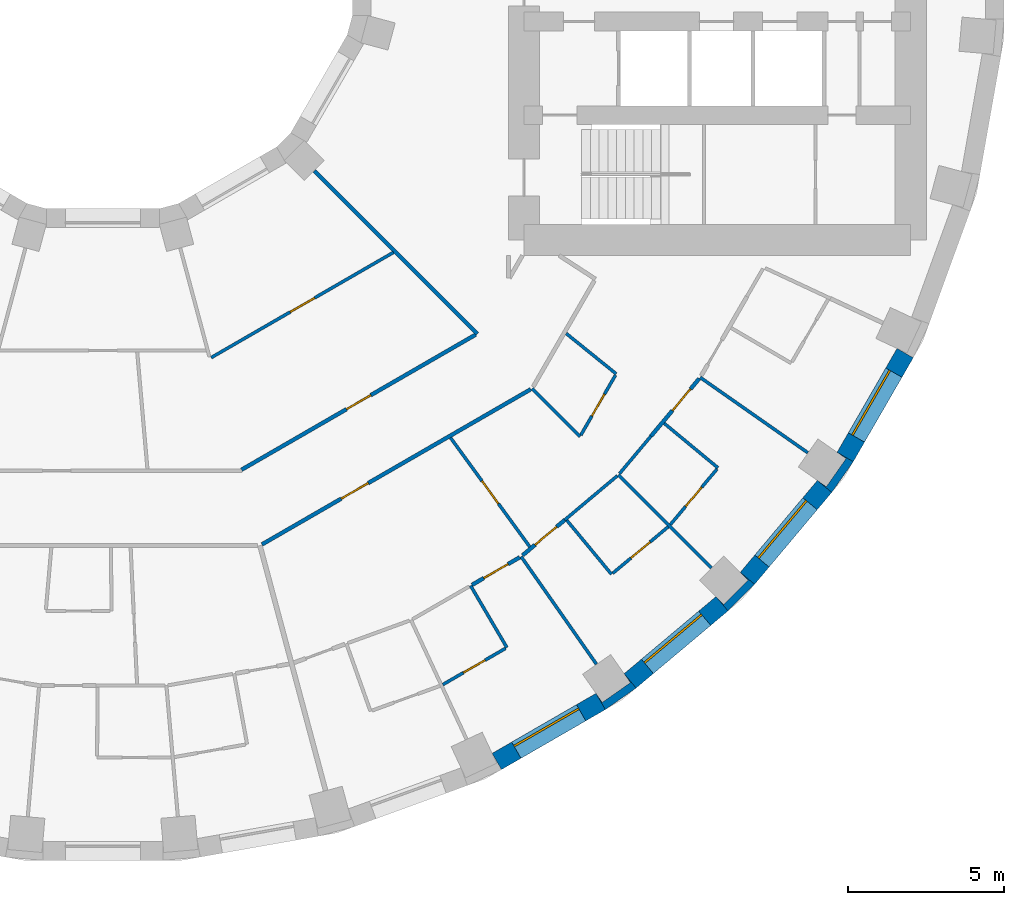
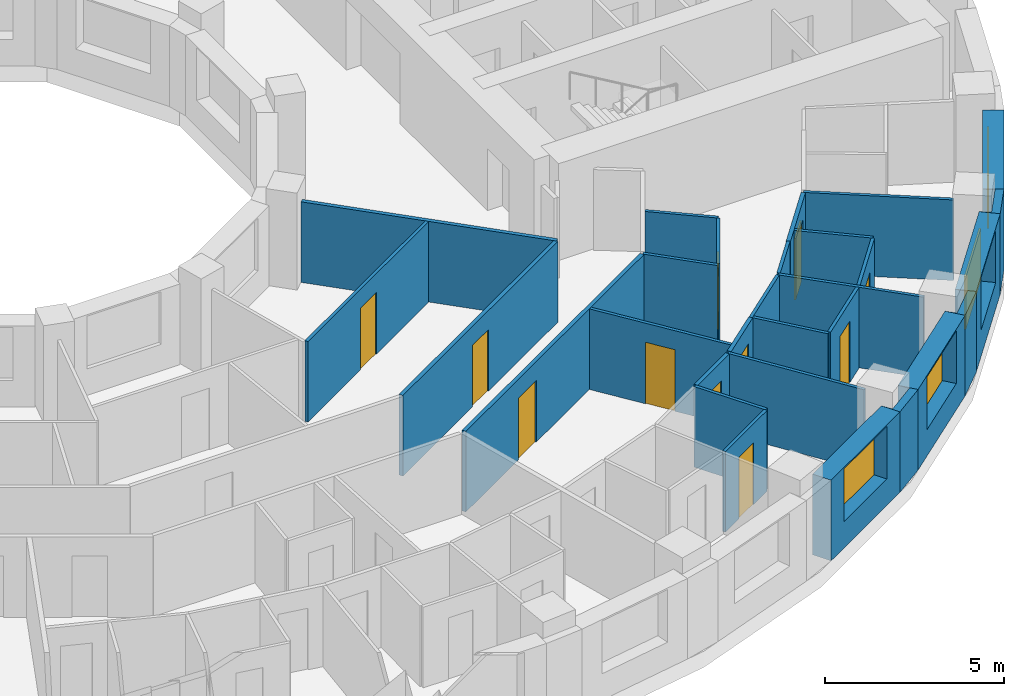
# One storey, part 7 of 15: 29 walls, 11 doors, 4 windows, 15 openings.
"""IFC4 building model written with IfcOpenShell, lengths in metres."""

from ifc_helpers import new_model, si_unit, direction, frame, frame_2d, origin, place, context, subcontext, project, spatial, polyline, rectangle, outline, extrude, material, layer, layer_set, type_object, element, fill, save


model = new_model("IFC4")

# Units and contexts
model_context = context("Model", 3, precision=1e-05, world=origin(), true_north=direction((0.0, 1.0)))
body_context = subcontext(model_context, "Body", "Model", "MODEL_VIEW")
ifc_project = project(units=[si_unit("LENGTHUNIT", "METRE"), si_unit("AREAUNIT", "SQUARE_METRE"), si_unit("VOLUMEUNIT", "CUBIC_METRE"), si_unit("PLANEANGLEUNIT", "RADIAN"), si_unit("MASSUNIT", "GRAM", prefix="KILO")], contexts=[model_context])

# Site, building, storey
site_placement = place(None, origin())
site = spatial("IfcSite", under=ifc_project, at=site_placement, CompositionType="ELEMENT")
building_placement = place(site_placement, origin())
building = spatial("IfcBuilding", under=site, at=building_placement, Name="Saqina Gate Tower", CompositionType="ELEMENT")
storey_placement = place(building_placement, frame((0.0, 0.0, 65.89990234375)))
storey = spatial("IfcBuildingStorey", under=building, at=storey_placement, Name="L18", CompositionType="ELEMENT", Elevation=65.89990234375)

# Walls
ifc_material_1 = material(Name="Brick masonry (red)", Category="masonry")
wall_type_1 = type_object("IfcWallType", Name="BRICK PIER COPING RED", PredefinedType="SOLIDWALL", material=ifc_material_1)
wall_1_placement = place(storey_placement, origin())
element("IfcWall", 1, at=wall_1_placement, inside=storey, type_object=wall_type_1, Name="Pier cap L18 column 31", PredefinedType="SOLIDWALL", context=body_context, shape_type="SweptSolid", body=[
    extrude(outline(polyline([(16.110107421875, -24.0576171875), (17.096923828125, -23.36669921875), (16.711181640625, -22.9072265625), (16.912109375, -23.194091796875), (16.010986328125, -23.8251953125), (15.81005859375, -23.5380859375), (16.110107421875, -24.0576171875)])), origin(), (0.0, 0.0, 1.0), 2.75),
])
wall_2_placement = place(storey_placement, origin())
element("IfcWall", 2, at=wall_2_placement, inside=storey, type_object=wall_type_1, Name="Pier cap L18 column 32", PredefinedType="SOLIDWALL", context=body_context, shape_type="SweptSolid", body=[
    extrude(outline(polyline([(20.894775390625, -20.04296875), (20.43505859375, -19.6572265625), (20.682861328125, -19.905029296875), (19.905029296875, -20.682861328125), (19.6572265625, -20.43505859375), (20.04296875, -20.894775390625), (20.894775390625, -20.04296875)])), origin(), (0.0, 0.0, 1.0), 2.75),
])
wall_3_placement = place(storey_placement, origin())
element("IfcWall", 3, at=wall_3_placement, inside=storey, type_object=wall_type_1, Name="Pier cap L18 column 33", PredefinedType="SOLIDWALL", context=body_context, shape_type="SweptSolid", body=[
    extrude(outline(polyline([(23.36669921875, -17.096923828125), (24.0576171875, -16.110107421875), (23.5380859375, -15.81005859375), (23.8251953125, -16.010986328125), (23.194091796875, -16.912109375), (22.9072265625, -16.711181640625), (23.36669921875, -17.096923828125)])), origin(), (0.0, 0.0, 1.0), 2.75),
])

# Wall, opening, window
ifc_material_2 = material(Name="Brick masonry (red)", Category="masonry")
ifc_layer_1 = layer(ifc_material_2, 0.60009765625)
ifc_layer_set_1 = layer_set([ifc_layer_1], Name="FW-BRICK-RED")
wall_type_2 = type_object("IfcWallType", Name="FW-BRICK-RED", PredefinedType="SOLIDWALL", material=ifc_layer_set_1)
wall_4_placement = place(storey_placement, frame((12.629638671875, -25.720703125, 0.0), z_axis=(0.0, 0.0, 1.0), x_axis=(0.86603124159, 0.499989888488, 0.0)))
wall_4 = element("IfcWall", 4, at=wall_4_placement, inside=storey, type_object=wall_type_2, Name="Facade wall L18 facet 30", PredefinedType="SOLIDWALL", context=body_context, shape_type="SweptSolid", body=[
    extrude(rectangle(XDim=3.845703125, YDim=0.60009765625, at=frame_2d((1.9228515625, 0.0))), origin(), (0.0, 0.0, 1.0), 2.75),
])
opening_1_placement = place(wall_4_placement, frame((0.722900390625, 0.0, 0.89990234375)))
opening_1 = element("IfcOpeningElement", 5, at=opening_1_placement, cuts=wall_4, Name="Opening G05-W19", PredefinedType="OPENING", context=body_context, shape_type="SweptSolid", body=[
    extrude(rectangle(XDim=2.39990234375, YDim=1.800048828125, at=frame_2d((1.199951171875, 0.89990234375))), frame((0.0, 0.31201171875, 0.0), z_axis=(0.0, -1.0, 0.0), x_axis=(1.0, 0.0, 0.0)), (0.0, 0.0, 1.0), 0.6240234375),
])
ifc_material_3 = material(Name="Aluminium glazing", Category="aluminium")
window_type = type_object("IfcWindowType", Name="WN-A", PartitioningType="SINGLE_PANEL", PredefinedType="WINDOW", material=ifc_material_3)
window_1_placement = place(opening_1_placement, origin())
window_1 = element("IfcWindow", 6, at=window_1_placement, inside=storey, type_object=window_type, Name="Window L18 facet 30", OverallHeight=1.800048828125, OverallWidth=2.39990234375, PartitioningType="SINGLE_PANEL", PredefinedType="WINDOW", context=body_context, shape_type="SweptSolid", body=[
    extrude(rectangle(XDim=2.39990234375, YDim=1.800048828125, at=frame_2d((1.199951171875, 0.89990234375))), frame((0.0, 0.179931640625, 0.0), z_axis=(0.0, -1.0, 0.0), x_axis=(1.0, 0.0, 0.0)), (0.0, 0.0, 1.0), 0.06005859375),
])
fill(opening_1, window_1)

wall_5_placement = place(storey_placement, frame((16.904052734375, -23.136962890625, 0.0), z_axis=(0.0, 0.0, 1.0), x_axis=(0.766026164483, 0.642809392687, 0.0)))
wall_5 = element("IfcWall", 7, at=wall_5_placement, inside=storey, type_object=wall_type_2, Name="Facade wall L18 facet 31", PredefinedType="SOLIDWALL", context=body_context, shape_type="SweptSolid", body=[
    extrude(rectangle(XDim=3.845947265625, YDim=0.60009765625, at=frame_2d((1.9228515625, 0.0))), origin(), (0.0, 0.0, 1.0), 2.75),
])
opening_2_placement = place(wall_5_placement, frame((0.722900390625, 0.0, 0.89990234375)))
opening_2 = element("IfcOpeningElement", 8, at=opening_2_placement, cuts=wall_5, Name="Opening G05-W20", PredefinedType="OPENING", context=body_context, shape_type="SweptSolid", body=[
    extrude(rectangle(XDim=2.39990234375, YDim=1.800048828125, at=frame_2d((1.199951171875, 0.89990234375))), frame((0.0, 0.31201171875, 0.0), z_axis=(0.0, -1.0, 0.0), x_axis=(1.0, 0.0, 0.0)), (0.0, 0.0, 1.0), 0.6240234375),
])
window_2_placement = place(opening_2_placement, origin())
window_2 = element("IfcWindow", 9, at=window_2_placement, inside=storey, type_object=window_type, Name="Window L18 facet 31", OverallHeight=1.800048828125, OverallWidth=2.39990234375, PartitioningType="SINGLE_PANEL", PredefinedType="WINDOW", context=body_context, shape_type="SweptSolid", body=[
    extrude(rectangle(XDim=2.39990234375, YDim=1.800048828125, at=frame_2d((1.199951171875, 0.89990234375))), frame((0.0, 0.179931640625, 0.0), z_axis=(0.0, -1.0, 0.0), x_axis=(1.0, 0.0, 0.0)), (0.0, 0.0, 1.0), 0.06005859375),
])
fill(opening_2, window_2)

wall_6_placement = place(storey_placement, frame((20.664794921875, -19.85009765625, 0.0), z_axis=(0.0, 0.0, 1.0), x_axis=(0.642809392687, 0.766026164483, 0.0)))
wall_6 = element("IfcWall", 10, at=wall_6_placement, inside=storey, type_object=wall_type_2, Name="Facade wall L18 facet 32", PredefinedType="SOLIDWALL", context=body_context, shape_type="SweptSolid", body=[
    extrude(rectangle(XDim=3.845947265625, YDim=0.60009765625, at=frame_2d((1.9228515625, 0.0))), origin(), (0.0, 0.0, 1.0), 2.75),
])
opening_3_placement = place(wall_6_placement, frame((0.722900390625, 0.0, 0.89990234375)))
opening_3 = element("IfcOpeningElement", 11, at=opening_3_placement, cuts=wall_6, Name="Opening G05-W21", PredefinedType="OPENING", context=body_context, shape_type="SweptSolid", body=[
    extrude(rectangle(XDim=2.39990234375, YDim=1.800048828125, at=frame_2d((1.199951171875, 0.89990234375))), frame((0.0, 0.31201171875, 0.0), z_axis=(0.0, -1.0, 0.0), x_axis=(1.0, 0.0, 0.0)), (0.0, 0.0, 1.0), 0.6240234375),
])
window_3_placement = place(opening_3_placement, origin())
window_3 = element("IfcWindow", 12, at=window_3_placement, inside=storey, type_object=window_type, Name="Window L18 facet 32", OverallHeight=1.800048828125, OverallWidth=2.39990234375, PartitioningType="SINGLE_PANEL", PredefinedType="WINDOW", context=body_context, shape_type="SweptSolid", body=[
    extrude(rectangle(XDim=2.39990234375, YDim=1.800048828125, at=frame_2d((1.199951171875, 0.89990234375))), frame((0.0, 0.179931640625, 0.0), z_axis=(0.0, -1.0, 0.0), x_axis=(1.0, 0.0, 0.0)), (0.0, 0.0, 1.0), 0.06005859375),
])
fill(opening_3, window_3)

wall_7_placement = place(storey_placement, frame((23.7978515625, -15.960205078125, 0.0), z_axis=(0.0, 0.0, 1.0), x_axis=(0.499989888488, 0.86603124159, 0.0)))
wall_7 = element("IfcWall", 13, at=wall_7_placement, inside=storey, type_object=wall_type_2, Name="Facade wall L18 facet 33", PredefinedType="SOLIDWALL", context=body_context, shape_type="SweptSolid", body=[
    extrude(rectangle(XDim=3.845703125, YDim=0.60009765625, at=frame_2d((1.9228515625, 0.0))), origin(), (0.0, 0.0, 1.0), 2.75),
])
opening_4_placement = place(wall_7_placement, frame((0.722900390625, 0.0, 0.89990234375)))
opening_4 = element("IfcOpeningElement", 14, at=opening_4_placement, cuts=wall_7, Name="Opening G05-W22", PredefinedType="OPENING", context=body_context, shape_type="SweptSolid", body=[
    extrude(rectangle(XDim=2.39990234375, YDim=1.800048828125, at=frame_2d((1.199951171875, 0.89990234375))), frame((0.0, 0.31201171875, 0.0), z_axis=(0.0, -1.0, 0.0), x_axis=(1.0, 0.0, 0.0)), (0.0, 0.0, 1.0), 0.6240234375),
])
window_4_placement = place(opening_4_placement, origin())
window_4 = element("IfcWindow", 15, at=window_4_placement, inside=storey, type_object=window_type, Name="Window L18 facet 33", OverallHeight=1.800048828125, OverallWidth=2.39990234375, PartitioningType="SINGLE_PANEL", PredefinedType="WINDOW", context=body_context, shape_type="SweptSolid", body=[
    extrude(rectangle(XDim=2.39990234375, YDim=1.800048828125, at=frame_2d((1.199951171875, 0.89990234375))), frame((0.0, 0.179931640625, 0.0), z_axis=(0.0, -1.0, 0.0), x_axis=(1.0, 0.0, 0.0)), (0.0, 0.0, 1.0), 0.06005859375),
])
fill(opening_4, window_4)

# Walls
ifc_material_4 = material(Name="Gypsum board on steel studs, 100 mm", Category="steel")
ifc_layer_2 = layer(ifc_material_4, 0.10009765625)
ifc_layer_set_2 = layer_set([ifc_layer_2], Name="PARTITION 100")
wall_type_3 = type_object("IfcWallType", Name="PARTITION 100", PredefinedType="PARTITIONING", material=ifc_layer_set_2)
wall_8_placement = place(storey_placement, frame((11.7900390625, -20.0859375, 0.0), z_axis=(0.0, 0.0, 1.0), x_axis=(0.506212585002, -0.862408730699, 0.0)))
element("IfcWall", 16, at=wall_8_placement, inside=storey, type_object=wall_type_3, Name="PARTITION PW3-23", PredefinedType="PARTITIONING", context=body_context, shape_type="SweptSolid", body=[
    extrude(rectangle(XDim=2.299560546875, YDim=0.10009765625, at=frame_2d((1.14990234375, 0.0))), origin(), (0.0, 0.0, 1.0), 2.75),
])
wall_9_placement = place(storey_placement, frame((13.408935546875, -19.15087890625, 0.0), z_axis=(0.0, 0.0, 1.0), x_axis=(0.573446781639, -0.819242814206, 0.0)))
element("IfcWall", 17, at=wall_9_placement, inside=storey, type_object=wall_type_3, Name="PARTITION PW3-25", PredefinedType="PARTITIONING", context=body_context, shape_type="SweptSolid", body=[
    extrude(rectangle(XDim=4.21142578125, YDim=0.10009765625, at=frame_2d((2.105712890625, 0.0))), origin(), (0.0, 0.0, 1.0), 2.75),
])

# Wall, opening, door
wall_10_placement = place(storey_placement, frame((11.147705078125, -15.344482421875, 0.0), z_axis=(0.0, 0.0, 1.0), x_axis=(0.587899330934, -0.8089340991, 0.0)))
wall_10 = element("IfcWall", 18, at=wall_10_placement, inside=storey, type_object=wall_type_3, Name="PARTITION PW3-26", PredefinedType="PARTITIONING", context=body_context, shape_type="SweptSolid", body=[
    extrude(rectangle(XDim=4.317626953125, YDim=0.10009765625, at=frame_2d((2.15869140625, 0.0))), origin(), (0.0, 0.0, 1.0), 2.75),
])
opening_5_placement = place(wall_10_placement, frame((1.708984375, 0.0, 0.0)))
opening_5 = element("IfcOpeningElement", 19, at=opening_5_placement, cuts=wall_10, Name="Opening G05-D61", PredefinedType="OPENING", context=body_context, shape_type="SweptSolid", body=[
    extrude(rectangle(XDim=0.89990234375, YDim=2.10009765625, at=frame_2d((0.449951171875, 1.050048828125))), frame((0.0, 0.06201171875, 0.0), z_axis=(0.0, -1.0, 0.0), x_axis=(1.0, 0.0, 0.0)), (0.0, 0.0, 1.0), 0.1240234375),
])
ifc_material_5 = material(Name="Timber door leaf, 900 mm", Category="wood")
door_type_1 = type_object("IfcDoorType", Name="DOOR 900 TIMBER", OperationType="SINGLE_SWING_LEFT", PredefinedType="DOOR", material=ifc_material_5)
door_1_placement = place(opening_5_placement, origin())
door_1 = element("IfcDoor", 20, at=door_1_placement, inside=storey, type_object=door_type_1, Name="DOOR G05-D61", OperationType="SINGLE_SWING_RIGHT", OverallHeight=2.10009765625, OverallWidth=0.89990234375, PredefinedType="DOOR", context=body_context, shape_type="SweptSolid", body=[
    extrude(rectangle(XDim=0.89990234375, YDim=2.10009765625, at=frame_2d((0.449951171875, 1.050048828125))), frame((0.0, 0.02490234375, 0.0), z_axis=(0.0, -1.0, 0.0), x_axis=(1.0, 0.0, 0.0)), (0.0, 0.0, 1.0), 0.050048828125),
])
fill(opening_5, door_1)

# Walls
wall_11_placement = place(storey_placement, frame((14.873779296875, -17.987548828125, 0.0), z_axis=(0.0, 0.0, 1.0), x_axis=(0.637512192465, -0.770440266639, 0.0)))
element("IfcWall", 21, at=wall_11_placement, inside=storey, type_object=wall_type_3, Name="PARTITION PW3-27", PredefinedType="PARTITIONING", context=body_context, shape_type="SweptSolid", body=[
    extrude(rectangle(XDim=2.25, YDim=0.10009765625, at=frame_2d((1.125, 0.0))), origin(), (0.0, 0.0, 1.0), 2.75),
])
wall_12_placement = place(storey_placement, frame((13.762939453125, -13.762939453125, 0.0), z_axis=(0.0, 0.0, 1.0), x_axis=(0.707106781187, -0.707106781187, 0.0)))
element("IfcWall", 22, at=wall_12_placement, inside=storey, type_object=wall_type_3, Name="PARTITION PW3-32", PredefinedType="PARTITIONING", context=body_context, shape_type="SweptSolid", body=[
    extrude(rectangle(XDim=2.173828125, YDim=0.10009765625, at=frame_2d((1.0869140625, 0.0))), origin(), (0.0, 0.0, 1.0), 2.75),
])
wall_13_placement = place(storey_placement, frame((16.531005859375, -16.531005859375, 0.0), z_axis=(0.0, 0.0, 1.0), x_axis=(0.707106781187, -0.707106781187, 0.0)))
element("IfcWall", 23, at=wall_13_placement, inside=storey, type_object=wall_type_3, Name="PARTITION PW3-33", PredefinedType="PARTITIONING", context=body_context, shape_type="SweptSolid", body=[
    extrude(rectangle(XDim=4.211669921875, YDim=0.10009765625, at=frame_2d((2.10595703125, 0.0))), origin(), (0.0, 0.0, 1.0), 2.75),
])
wall_14_placement = place(storey_placement, frame((17.9970703125, -14.8818359375, 0.0), z_axis=(0.0, 0.0, 1.0), x_axis=(0.770479328971, -0.637464982276, 0.0)))
element("IfcWall", 24, at=wall_14_placement, inside=storey, type_object=wall_type_3, Name="PARTITION PW3-37", PredefinedType="PARTITIONING", context=body_context, shape_type="SweptSolid", body=[
    extrude(rectangle(XDim=2.2373046875, YDim=0.10009765625, at=frame_2d((1.11865234375, 0.0))), origin(), (0.0, 0.0, 1.0), 2.75),
])
wall_15_placement = place(storey_placement, frame((14.852783203125, -11.99853515625, 0.0), z_axis=(0.0, 0.0, 1.0), x_axis=(0.777974546864, -0.628295793741, 0.0)))
element("IfcWall", 25, at=wall_15_placement, inside=storey, type_object=wall_type_3, Name="PARTITION PW3-38", PredefinedType="PARTITIONING", context=body_context, shape_type="SweptSolid", body=[
    extrude(rectangle(XDim=2.063232421875, YDim=0.10009765625, at=frame_2d((1.03173828125, 0.0))), origin(), (0.0, 0.0, 1.0), 2.75),
])
wall_16_placement = place(storey_placement, frame((19.15087890625, -13.408935546875, 0.0), z_axis=(0.0, 0.0, 1.0), x_axis=(0.819242814206, -0.573446781639, 0.0)))
element("IfcWall", 26, at=wall_16_placement, inside=storey, type_object=wall_type_3, Name="PARTITION PW3-40", PredefinedType="PARTITIONING", context=body_context, shape_type="SweptSolid", body=[
    extrude(rectangle(XDim=4.21142578125, YDim=0.10009765625, at=frame_2d((2.105712890625, 0.0))), origin(), (0.0, 0.0, 1.0), 2.75),
])

# Wall, opening, door
wall_17_placement = place(storey_placement, frame((10.8994140625, -23.256103515625, 0.0), z_axis=(0.0, 0.0, 1.0), x_axis=(0.865852932048, 0.500298610895, 0.0)))
wall_17 = element("IfcWall", 27, at=wall_17_placement, inside=storey, type_object=wall_type_3, Name="PARTITION PW3-75", PredefinedType="PARTITIONING", context=body_context, shape_type="SweptSolid", body=[
    extrude(rectangle(XDim=2.32275390625, YDim=0.10009765625, at=frame_2d((1.161376953125, 0.0))), origin(), (0.0, 0.0, 1.0), 2.75),
])
opening_6_placement = place(wall_17_placement, frame((0.761474609375, 0.0, 0.0)))
opening_6 = element("IfcOpeningElement", 28, at=opening_6_placement, cuts=wall_17, Name="Opening G05-D57", PredefinedType="OPENING", context=body_context, shape_type="SweptSolid", body=[
    extrude(rectangle(XDim=0.800048828125, YDim=2.10009765625, at=frame_2d((0.39990234375, 1.050048828125))), frame((0.0, 0.06201171875, 0.0), z_axis=(0.0, -1.0, 0.0), x_axis=(1.0, 0.0, 0.0)), (0.0, 0.0, 1.0), 0.1240234375),
])
ifc_material_6 = material(Name="Timber door leaf, 800 mm", Category="wood")
door_type_2 = type_object("IfcDoorType", Name="DOOR 800 TIMBER", OperationType="SINGLE_SWING_LEFT", PredefinedType="DOOR", material=ifc_material_6)
door_2_placement = place(opening_6_placement, frame((0.800048828125, 0.0, 0.0), z_axis=(0.0, 0.0, 1.0), x_axis=(-1.0, 0.0, 0.0)))
door_2 = element("IfcDoor", 29, at=door_2_placement, inside=storey, type_object=door_type_2, Name="DOOR G05-D57", OperationType="SINGLE_SWING_LEFT", OverallHeight=2.10009765625, OverallWidth=0.800048828125, PredefinedType="DOOR", context=body_context, shape_type="SweptSolid", body=[
    extrude(rectangle(XDim=0.800048828125, YDim=2.10009765625, at=frame_2d((0.39990234375, 1.050048828125))), frame((0.0, 0.02490234375, 0.0), z_axis=(0.0, -1.0, 0.0), x_axis=(1.0, 0.0, 0.0)), (0.0, 0.0, 1.0), 0.050048828125),
])
fill(opening_6, door_2)

wall_18_placement = place(storey_placement, frame((3.473388671875, -12.77490234375, 0.0), z_axis=(0.0, 0.0, 1.0), x_axis=(0.866002984226, 0.500038829804, 0.0)))
wall_18 = element("IfcWall", 30, at=wall_18_placement, inside=storey, type_object=wall_type_3, Name="PARTITION PW3-77", PredefinedType="PARTITIONING", context=body_context, shape_type="SweptSolid", body=[
    extrude(rectangle(XDim=6.74658203125, YDim=0.10009765625, at=frame_2d((3.373291015625, 0.0))), origin(), (0.0, 0.0, 1.0), 2.75),
])
opening_7_placement = place(wall_18_placement, frame((2.9296875, 0.0, 0.0)))
opening_7 = element("IfcOpeningElement", 31, at=opening_7_placement, cuts=wall_18, Name="Opening G05-D58", PredefinedType="OPENING", context=body_context, shape_type="SweptSolid", body=[
    extrude(rectangle(XDim=0.89990234375, YDim=2.10009765625, at=frame_2d((0.449951171875, 1.050048828125))), frame((0.0, 0.06201171875, 0.0), z_axis=(0.0, -1.0, 0.0), x_axis=(1.0, 0.0, 0.0)), (0.0, 0.0, 1.0), 0.1240234375),
])
door_3_placement = place(opening_7_placement, frame((0.89990234375, 0.0, 0.0), z_axis=(0.0, 0.0, 1.0), x_axis=(-1.0, 0.0, 0.0)))
door_3 = element("IfcDoor", 32, at=door_3_placement, inside=storey, type_object=door_type_1, Name="DOOR G05-D58", OperationType="SINGLE_SWING_LEFT", OverallHeight=2.10009765625, OverallWidth=0.89990234375, PredefinedType="DOOR", context=body_context, shape_type="SweptSolid", body=[
    extrude(rectangle(XDim=0.89990234375, YDim=2.10009765625, at=frame_2d((0.449951171875, 1.050048828125))), frame((0.0, 0.02490234375, 0.0), z_axis=(0.0, -1.0, 0.0), x_axis=(1.0, 0.0, 0.0)), (0.0, 0.0, 1.0), 0.050048828125),
])
fill(opening_7, door_3)

wall_19_placement = place(storey_placement, frame((16.34619140625, -19.68896484375, 0.0), z_axis=(0.0, 0.0, 1.0), x_axis=(0.766106399864, 0.642713765286, 0.0)))
wall_19 = element("IfcWall", 33, at=wall_19_placement, inside=storey, type_object=wall_type_3, Name="PARTITION PW3-83", PredefinedType="PARTITIONING", context=body_context, shape_type="SweptSolid", body=[
    extrude(rectangle(XDim=2.32275390625, YDim=0.10009765625, at=frame_2d((1.161376953125, 0.0))), origin(), (0.0, 0.0, 1.0), 2.75),
])
opening_8_placement = place(wall_19_placement, frame((0.76123046875, 0.0, 0.0)))
opening_8 = element("IfcOpeningElement", 34, at=opening_8_placement, cuts=wall_19, Name="Opening G05-D63", PredefinedType="OPENING", context=body_context, shape_type="SweptSolid", body=[
    extrude(rectangle(XDim=0.800048828125, YDim=2.10009765625, at=frame_2d((0.39990234375, 1.050048828125))), frame((0.0, 0.06201171875, 0.0), z_axis=(0.0, -1.0, 0.0), x_axis=(1.0, 0.0, 0.0)), (0.0, 0.0, 1.0), 0.1240234375),
])
door_4_placement = place(opening_8_placement, frame((0.800048828125, 0.0, 0.0), z_axis=(0.0, 0.0, 1.0), x_axis=(-1.0, 0.0, 0.0)))
door_4 = element("IfcDoor", 35, at=door_4_placement, inside=storey, type_object=door_type_2, Name="DOOR G05-D63", OperationType="SINGLE_SWING_LEFT", OverallHeight=2.10009765625, OverallWidth=0.800048828125, PredefinedType="DOOR", context=body_context, shape_type="SweptSolid", body=[
    extrude(rectangle(XDim=0.800048828125, YDim=2.10009765625, at=frame_2d((0.39990234375, 1.050048828125))), frame((0.0, 0.02490234375, 0.0), z_axis=(0.0, -1.0, 0.0), x_axis=(1.0, 0.0, 0.0)), (0.0, 0.0, 1.0), 0.050048828125),
])
fill(opening_8, door_4)

# Wall
wall_20_placement = place(storey_placement, frame((14.8037109375, -17.981201171875, 0.0), z_axis=(0.0, 0.0, 1.0), x_axis=(0.765874949637, 0.642989550085, 0.0)))
element("IfcWall", 36, at=wall_20_placement, inside=storey, type_object=wall_type_3, Name="PARTITION PW3-84", PredefinedType="PARTITIONING", context=body_context, shape_type="SweptSolid", body=[
    extrude(rectangle(XDim=2.205322265625, YDim=0.10009765625, at=frame_2d((1.1025390625, 0.0))), origin(), (0.0, 0.0, 1.0), 2.75),
])

# Wall, opening, door
wall_21_placement = place(storey_placement, frame((18.196044921875, -18.125732421875, 0.0), z_axis=(0.0, 0.0, 1.0), x_axis=(0.642713765286, 0.766106399864, 0.0)))
wall_21 = element("IfcWall", 37, at=wall_21_placement, inside=storey, type_object=wall_type_3, Name="PARTITION PW3-89", PredefinedType="PARTITIONING", context=body_context, shape_type="SweptSolid", body=[
    extrude(rectangle(XDim=2.32275390625, YDim=0.10009765625, at=frame_2d((1.161376953125, 0.0))), origin(), (0.0, 0.0, 1.0), 2.75),
])
opening_9_placement = place(wall_21_placement, frame((0.76123046875, 0.0, 0.0)))
opening_9 = element("IfcOpeningElement", 38, at=opening_9_placement, cuts=wall_21, Name="Opening G05-D64", PredefinedType="OPENING", context=body_context, shape_type="SweptSolid", body=[
    extrude(rectangle(XDim=0.800048828125, YDim=2.10009765625, at=frame_2d((0.39990234375, 1.050048828125))), frame((0.0, 0.06201171875, 0.0), z_axis=(0.0, -1.0, 0.0), x_axis=(1.0, 0.0, 0.0)), (0.0, 0.0, 1.0), 0.1240234375),
])
door_5_placement = place(opening_9_placement, frame((0.800048828125, 0.0, 0.0), z_axis=(0.0, 0.0, 1.0), x_axis=(-1.0, 0.0, 0.0)))
door_5 = element("IfcDoor", 39, at=door_5_placement, inside=storey, type_object=door_type_2, Name="DOOR G05-D64", OperationType="SINGLE_SWING_LEFT", OverallHeight=2.10009765625, OverallWidth=0.800048828125, PredefinedType="DOOR", context=body_context, shape_type="SweptSolid", body=[
    extrude(rectangle(XDim=0.800048828125, YDim=2.10009765625, at=frame_2d((0.39990234375, 1.050048828125))), frame((0.0, 0.02490234375, 0.0), z_axis=(0.0, -1.0, 0.0), x_axis=(1.0, 0.0, 0.0)), (0.0, 0.0, 1.0), 0.050048828125),
])
fill(opening_9, door_5)

# Wall
wall_22_placement = place(storey_placement, frame((16.563232421875, -16.49267578125, 0.0), z_axis=(0.0, 0.0, 1.0), x_axis=(0.642980448463, 0.765882590802, 0.0)))
element("IfcWall", 40, at=wall_22_placement, inside=storey, type_object=wall_type_3, Name="PARTITION PW3-90", PredefinedType="PARTITIONING", context=body_context, shape_type="SweptSolid", body=[
    extrude(rectangle(XDim=1.5693359375, YDim=0.10009765625, at=frame_2d((0.78466796875, 0.0))), origin(), (0.0, 0.0, 1.0), 2.75),
])

# Wall, opening, door
wall_23_placement = place(storey_placement, frame((15.324951171875, -15.256591796875, 0.0), z_axis=(0.0, 0.0, 1.0), x_axis=(0.500228022419, 0.865893714948, 0.0)))
wall_23 = element("IfcWall", 41, at=wall_23_placement, inside=storey, type_object=wall_type_3, Name="PARTITION PW3-98", PredefinedType="PARTITIONING", context=body_context, shape_type="SweptSolid", body=[
    extrude(rectangle(XDim=2.21533203125, YDim=0.10009765625, at=frame_2d((1.107666015625, 0.0))), origin(), (0.0, 0.0, 1.0), 2.75),
])
opening_10_placement = place(wall_23_placement, frame((0.707763671875, 0.0, 0.0)))
opening_10 = element("IfcOpeningElement", 42, at=opening_10_placement, cuts=wall_23, Name="Opening G05-D65", PredefinedType="OPENING", context=body_context, shape_type="SweptSolid", body=[
    extrude(rectangle(XDim=0.800048828125, YDim=2.10009765625, at=frame_2d((0.39990234375, 1.050048828125))), frame((0.0, 0.06201171875, 0.0), z_axis=(0.0, -1.0, 0.0), x_axis=(1.0, 0.0, 0.0)), (0.0, 0.0, 1.0), 0.1240234375),
])
door_6_placement = place(opening_10_placement, frame((0.800048828125, 0.0, 0.0), z_axis=(0.0, 0.0, 1.0), x_axis=(-1.0, 0.0, 0.0)))
door_6 = element("IfcDoor", 43, at=door_6_placement, inside=storey, type_object=door_type_2, Name="DOOR G05-D65", OperationType="SINGLE_SWING_LEFT", OverallHeight=2.10009765625, OverallWidth=0.800048828125, PredefinedType="DOOR", context=body_context, shape_type="SweptSolid", body=[
    extrude(rectangle(XDim=0.800048828125, YDim=2.10009765625, at=frame_2d((0.39990234375, 1.050048828125))), frame((0.0, 0.02490234375, 0.0), z_axis=(0.0, -1.0, 0.0), x_axis=(1.0, 0.0, 0.0)), (0.0, 0.0, 1.0), 0.050048828125),
])
fill(opening_10, door_6)

# Wall
ifc_material_7 = material(Name="Gypsum board on steel studs, 125 mm, fire rated", Category="steel")
ifc_layer_3 = layer(ifc_material_7, 0.125)
ifc_layer_set_3 = layer_set([ifc_layer_3], Name="PARTITION EI 30 125")
wall_type_4 = type_object("IfcWallType", Name="PARTITION EI 30 125", PredefinedType="PARTITIONING", material=ifc_layer_set_3)
wall_24_placement = place(storey_placement, frame((6.78271484375, -6.78271484375, 0.0), z_axis=(0.0, 0.0, 1.0), x_axis=(0.707106781187, -0.707106781187, 0.0)))
element("IfcWall", 44, at=wall_24_placement, inside=storey, type_object=wall_type_4, Name="PARTITION PW1-06", PredefinedType="PARTITIONING", context=body_context, shape_type="SweptSolid", body=[
    extrude(rectangle(XDim=7.386962890625, YDim=0.125, at=frame_2d((3.693359375, 0.0))), origin(), (0.0, 0.0, 1.0), 2.75),
])

# Wall, opening, door
wall_25_placement = place(storey_placement, frame((11.833251953125, -20.06103515625, 0.0), z_axis=(0.0, 0.0, 1.0), x_axis=(0.865967311171, 0.500100605862, 0.0)))
wall_25 = element("IfcWall", 45, at=wall_25_placement, inside=storey, type_object=wall_type_4, Name="PARTITION PW1-31", PredefinedType="PARTITIONING", context=body_context, shape_type="SweptSolid", body=[
    extrude(rectangle(XDim=1.769775390625, YDim=0.125, at=frame_2d((0.884765625, 0.0))), origin(), (0.0, 0.0, 1.0), 2.75),
])
opening_11_placement = place(wall_25_placement, frame((0.434814453125, 0.0, 0.0)))
opening_11 = element("IfcOpeningElement", 46, at=opening_11_placement, cuts=wall_25, Name="Opening G05-D60", PredefinedType="OPENING", context=body_context, shape_type="SweptSolid", body=[
    extrude(rectangle(XDim=0.89990234375, YDim=2.10009765625, at=frame_2d((0.449951171875, 1.050048828125))), frame((0.0, 0.074462890625, 0.0), z_axis=(0.0, -1.0, 0.0), x_axis=(1.0, 0.0, 0.0)), (0.0, 0.0, 1.0), 0.14892578125),
])
ifc_material_8 = material(Name="Fire door leaf EI 30, 900 mm")
door_type_3 = type_object("IfcDoorType", Name="DOOR 900 EI 30", OperationType="SINGLE_SWING_LEFT", PredefinedType="DOOR", material=ifc_material_8)
door_7_placement = place(opening_11_placement, origin())
door_7 = element("IfcDoor", 47, at=door_7_placement, inside=storey, type_object=door_type_3, Name="DOOR G05-D60", OperationType="SINGLE_SWING_RIGHT", OverallHeight=2.10009765625, OverallWidth=0.89990234375, PredefinedType="DOOR", context=body_context, shape_type="SweptSolid", body=[
    extrude(rectangle(XDim=0.89990234375, YDim=2.10009765625, at=frame_2d((0.449951171875, 1.050048828125))), frame((0.0, 0.02490234375, 0.0), z_axis=(0.0, -1.0, 0.0), x_axis=(1.0, 0.0, 0.0)), (0.0, 0.0, 1.0), 0.050048828125),
])
fill(opening_11, door_7)

wall_26_placement = place(storey_placement, frame((5.10205078125, -18.762451171875, 0.0), z_axis=(0.0, 0.0, 1.0), x_axis=(0.866071189182, 0.499920688979, 0.0)))
wall_26 = element("IfcWall", 48, at=wall_26_placement, inside=storey, type_object=wall_type_4, Name="PARTITION PW1-32", PredefinedType="PARTITIONING", context=body_context, shape_type="SweptSolid", body=[
    extrude(rectangle(XDim=9.9501953125, YDim=0.125, at=frame_2d((4.97509765625, 0.0))), origin(), (0.0, 0.0, 1.0), 2.75),
])
opening_12_placement = place(wall_26_placement, frame((2.931640625, 0.0, 0.0)))
opening_12 = element("IfcOpeningElement", 49, at=opening_12_placement, cuts=wall_26, Name="Opening G05-D56", PredefinedType="OPENING", context=body_context, shape_type="SweptSolid", body=[
    extrude(rectangle(XDim=1.0, YDim=2.10009765625, at=frame_2d((0.5, 1.050048828125))), frame((0.0, 0.074462890625, 0.0), z_axis=(0.0, -1.0, 0.0), x_axis=(1.0, 0.0, 0.0)), (0.0, 0.0, 1.0), 0.14892578125),
])
ifc_material_9 = material(Name="Fire door leaf EI 30, 1000 mm")
door_type_4 = type_object("IfcDoorType", Name="DOOR 1000 EI 30", OperationType="SINGLE_SWING_LEFT", PredefinedType="DOOR", material=ifc_material_9)
door_8_placement = place(opening_12_placement, frame((1.0, 0.0, 0.0), z_axis=(0.0, 0.0, 1.0), x_axis=(-1.0, 0.0, 0.0)))
door_8 = element("IfcDoor", 50, at=door_8_placement, inside=storey, type_object=door_type_4, Name="DOOR G05-D56", OperationType="SINGLE_SWING_RIGHT", OverallHeight=2.10009765625, OverallWidth=1.0, PredefinedType="DOOR", context=body_context, shape_type="SweptSolid", body=[
    extrude(rectangle(XDim=1.0, YDim=2.10009765625, at=frame_2d((0.5, 1.050048828125))), frame((0.0, 0.02490234375, 0.0), z_axis=(0.0, -1.0, 0.0), x_axis=(1.0, 0.0, 0.0)), (0.0, 0.0, 1.0), 0.050048828125),
])
fill(opening_12, door_8)

wall_27_placement = place(storey_placement, frame((4.4482421875, -16.36865234375, 0.0), z_axis=(0.0, 0.0, 1.0), x_axis=(0.866072505035, 0.499918409365, 0.0)))
wall_27 = element("IfcWall", 51, at=wall_27_placement, inside=storey, type_object=wall_type_4, Name="PARTITION PW1-33", PredefinedType="PARTITIONING", context=body_context, shape_type="SweptSolid", body=[
    extrude(rectangle(XDim=8.6640625, YDim=0.125, at=frame_2d((4.33203125, 0.0))), origin(), (0.0, 0.0, 1.0), 2.75),
])
opening_13_placement = place(wall_27_placement, frame((3.882080078125, 0.0, 0.0)))
opening_13 = element("IfcOpeningElement", 52, at=opening_13_placement, cuts=wall_27, Name="Opening G05-D59", PredefinedType="OPENING", context=body_context, shape_type="SweptSolid", body=[
    extrude(rectangle(XDim=0.89990234375, YDim=2.10009765625, at=frame_2d((0.449951171875, 1.050048828125))), frame((0.0, 0.074462890625, 0.0), z_axis=(0.0, -1.0, 0.0), x_axis=(1.0, 0.0, 0.0)), (0.0, 0.0, 1.0), 0.14892578125),
])
door_9_placement = place(opening_13_placement, origin())
door_9 = element("IfcDoor", 53, at=door_9_placement, inside=storey, type_object=door_type_3, Name="DOOR G05-D59", OperationType="SINGLE_SWING_RIGHT", OverallHeight=2.10009765625, OverallWidth=0.89990234375, PredefinedType="DOOR", context=body_context, shape_type="SweptSolid", body=[
    extrude(rectangle(XDim=0.89990234375, YDim=2.10009765625, at=frame_2d((0.449951171875, 1.050048828125))), frame((0.0, 0.02490234375, 0.0), z_axis=(0.0, -1.0, 0.0), x_axis=(1.0, 0.0, 0.0)), (0.0, 0.0, 1.0), 0.050048828125),
])
fill(opening_13, door_9)

wall_28_placement = place(storey_placement, frame((13.45703125, -19.11083984375, 0.0), z_axis=(0.0, 0.0, 1.0), x_axis=(0.766590701723, 0.642136041686, 0.0)))
wall_28 = element("IfcWall", 54, at=wall_28_placement, inside=storey, type_object=wall_type_4, Name="PARTITION PW1-40", PredefinedType="PARTITIONING", context=body_context, shape_type="SweptSolid", body=[
    extrude(rectangle(XDim=1.757568359375, YDim=0.125, at=frame_2d((0.87890625, 0.0))), origin(), (0.0, 0.0, 1.0), 2.75),
])
opening_14_placement = place(wall_28_placement, frame((0.522705078125, 0.0, 0.0)))
opening_14 = element("IfcOpeningElement", 55, at=opening_14_placement, cuts=wall_28, Name="Opening G05-D62", PredefinedType="OPENING", context=body_context, shape_type="SweptSolid", body=[
    extrude(rectangle(XDim=0.89990234375, YDim=2.10009765625, at=frame_2d((0.449951171875, 1.050048828125))), frame((0.0, 0.074462890625, 0.0), z_axis=(0.0, -1.0, 0.0), x_axis=(1.0, 0.0, 0.0)), (0.0, 0.0, 1.0), 0.14892578125),
])
door_10_placement = place(opening_14_placement, origin())
door_10 = element("IfcDoor", 56, at=door_10_placement, inside=storey, type_object=door_type_3, Name="DOOR G05-D62", OperationType="SINGLE_SWING_LEFT", OverallHeight=2.10009765625, OverallWidth=0.89990234375, PredefinedType="DOOR", context=body_context, shape_type="SweptSolid", body=[
    extrude(rectangle(XDim=0.89990234375, YDim=2.10009765625, at=frame_2d((0.449951171875, 1.050048828125))), frame((0.0, 0.02490234375, 0.0), z_axis=(0.0, -1.0, 0.0), x_axis=(1.0, 0.0, 0.0)), (0.0, 0.0, 1.0), 0.050048828125),
])
fill(opening_14, door_10)

wall_29_placement = place(storey_placement, frame((17.572509765625, -15.291015625, 0.0), z_axis=(0.0, 0.0, 1.0), x_axis=(0.642616104492, 0.766188320354, 0.0)))
wall_29 = element("IfcWall", 57, at=wall_29_placement, inside=storey, type_object=wall_type_4, Name="PARTITION PW1-44", PredefinedType="PARTITIONING", context=body_context, shape_type="SweptSolid", body=[
    extrude(rectangle(XDim=2.406494140625, YDim=0.125, at=frame_2d((1.203125, 0.0))), origin(), (0.0, 0.0, 1.0), 2.75),
])
opening_15_placement = place(wall_29_placement, frame((1.0712890625, 0.0, 0.0)))
opening_15 = element("IfcOpeningElement", 58, at=opening_15_placement, cuts=wall_29, Name="Opening G05-D66", PredefinedType="OPENING", context=body_context, shape_type="SweptSolid", body=[
    extrude(rectangle(XDim=0.89990234375, YDim=2.10009765625, at=frame_2d((0.449951171875, 1.050048828125))), frame((0.0, 0.074462890625, 0.0), z_axis=(0.0, -1.0, 0.0), x_axis=(1.0, 0.0, 0.0)), (0.0, 0.0, 1.0), 0.14892578125),
])
door_11_placement = place(opening_15_placement, origin())
door_11 = element("IfcDoor", 59, at=door_11_placement, inside=storey, type_object=door_type_3, Name="DOOR G05-D66", OperationType="SINGLE_SWING_RIGHT", OverallHeight=2.10009765625, OverallWidth=0.89990234375, PredefinedType="DOOR", context=body_context, shape_type="SweptSolid", body=[
    extrude(rectangle(XDim=0.89990234375, YDim=2.10009765625, at=frame_2d((0.449951171875, 1.050048828125))), frame((0.0, 0.02490234375, 0.0), z_axis=(0.0, -1.0, 0.0), x_axis=(1.0, 0.0, 0.0)), (0.0, 0.0, 1.0), 0.050048828125),
])
fill(opening_15, door_11)

save(model, "model.ifc")
